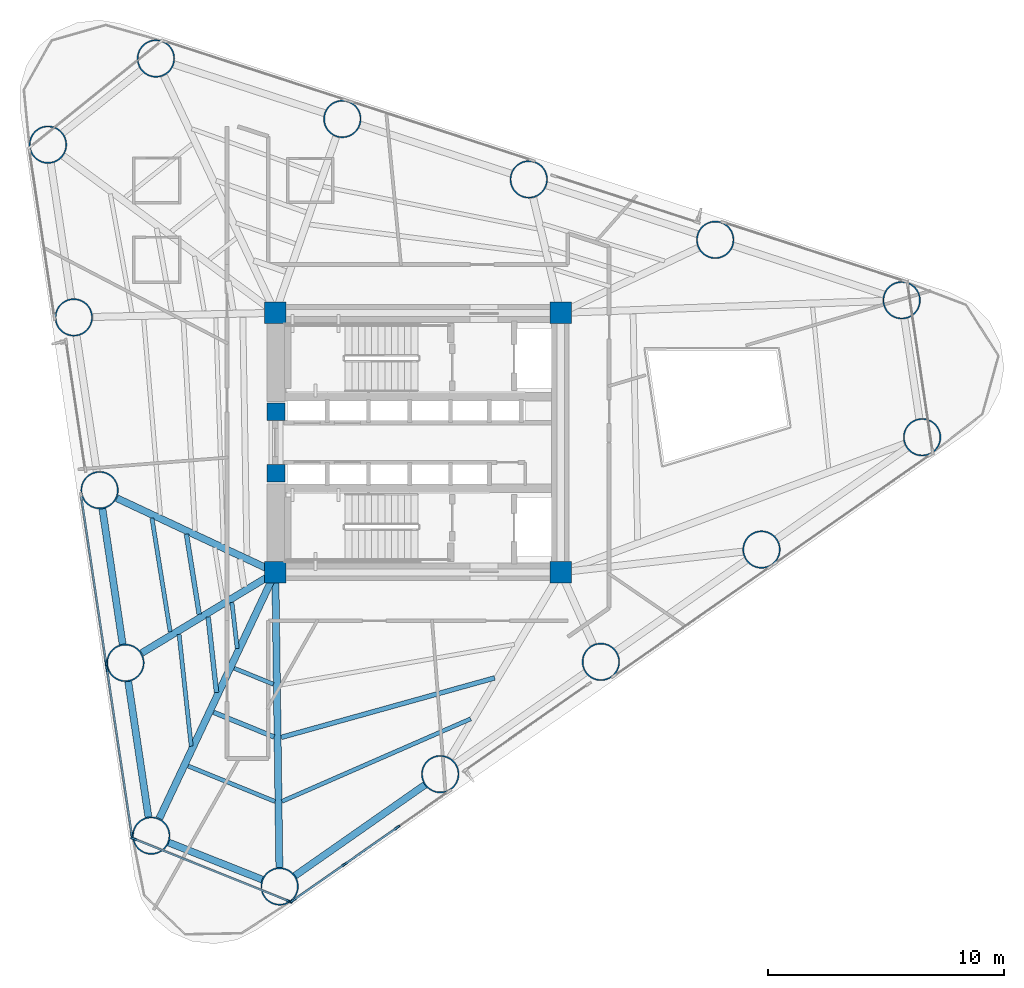
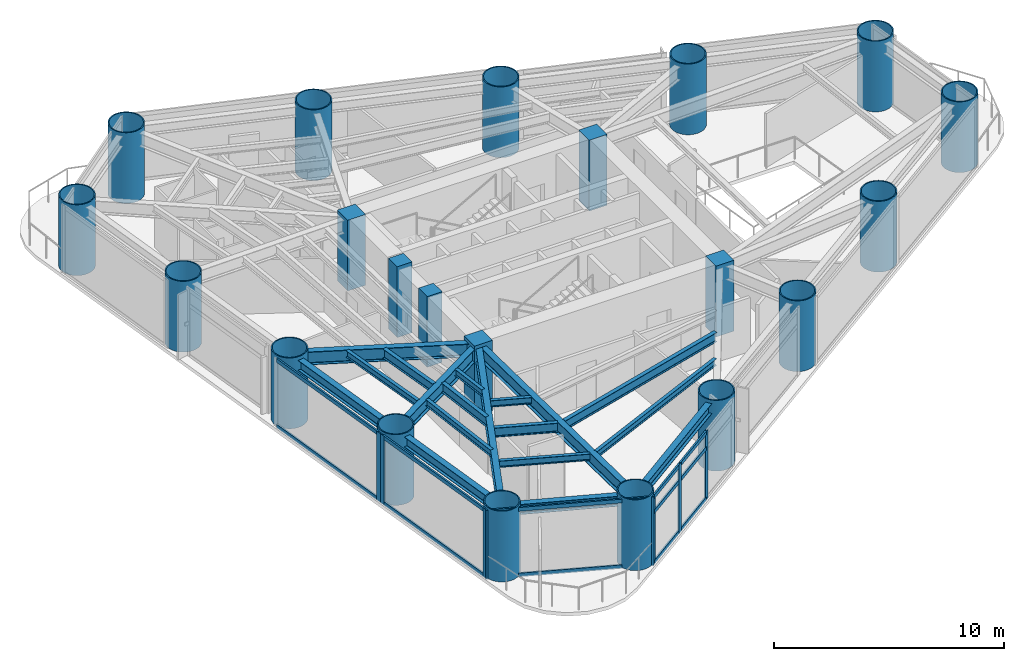
# One storey, part 1 of 9: 21 columns, 20 members, 18 beams, 4 elements without a shape of their own.
"""IFC4 building model written with IfcOpenShell, lengths in metres."""

from ifc_helpers import new_model, si_unit, direction, frame, origin, origin_2d, place, context, subcontext, project, spatial, rectangle, hollow_circle, i_section, extrude, source, transform, mapped, material, layer, layer_set, material_profile, profile_set, type_object, element, aggregate, save


model = new_model("IFC4")

# Units and contexts
model_context = context("Model", 3, precision=1e-05, world=origin(), true_north=direction((0.0, 1.0)))
body_context = subcontext(model_context, "Body", "Model", "MODEL_VIEW")
ifc_project = project(units=[si_unit("LENGTHUNIT", "METRE"), si_unit("AREAUNIT", "SQUARE_METRE"), si_unit("VOLUMEUNIT", "CUBIC_METRE"), si_unit("PLANEANGLEUNIT", "RADIAN"), si_unit("MASSUNIT", "GRAM", prefix="KILO")], contexts=[model_context])

# Site, building, storey
site_placement = place(None, origin())
site = spatial("IfcSite", under=ifc_project, at=site_placement, CompositionType="ELEMENT")
building_placement = place(site_placement, origin())
building = spatial("IfcBuilding", under=site, at=building_placement, Name="Yunling Apex Tower", CompositionType="ELEMENT")
storey_placement = place(building_placement, frame((0.0, 0.0, 69.800048828125)))
storey = spatial("IfcBuildingStorey", under=building, at=storey_placement, Name="L18", CompositionType="ELEMENT", Elevation=69.800048828125)

# Columns
ifc_material_1 = material(Name="Concrete C60", Category="concrete")
ifc_material_profile_1 = material_profile(ifc_material_1, rectangle(XDim=0.89990234375, YDim=0.89990234375, at=origin_2d()))
ifc_profile_set_1 = profile_set([ifc_material_profile_1], Name="Concrete C60")
column_type_1 = type_object("IfcColumnType", Name="PC-SRC-3", PredefinedType="COLUMN", material=ifc_profile_set_1)
shared_shape_1 = source(origin(), body_context, "Body", "SweptSolid", [
    extrude(rectangle(XDim=0.89990234375, YDim=0.89990234375, at=origin_2d()), origin(), (0.0, 0.0, 1.0), 3.75),
])
for number, where, z_axis, x_axis, name in (
    (1, (-6.050048828125, -5.5, 0.0), (0.0, 0.0, 1.0), (1.0, 0.0, 0.0), "L18 Core Spine Column CC-SW"),
    (2, (6.050048828125, -5.5, 0.0), (0.0, 0.0, 1.0), (1.0, 0.0, 0.0), "L18 Core Spine Column CC-SE"),
    (3, (6.050048828125, 5.5, 0.0), (0.0, 0.0, 1.0), (1.0, 0.0, 0.0), "L18 Core Spine Column CC-NE"),
    (4, (-6.050048828125, 5.5, 0.0), (0.0, 0.0, 1.0), (1.0, 0.0, 0.0), "L18 Core Spine Column CC-NW"),
):
    element("IfcColumn", number, at=place(storey_placement, frame(where, z_axis=z_axis, x_axis=x_axis)), inside=storey, type_object=column_type_1, Name=name, PredefinedType="COLUMN", context=body_context, shape_type="MappedRepresentation", body=[
        mapped(shared_shape_1, transform((0.0, 0.0, 0.0), scale=1.0)),
    ])
ifc_material_2 = material(Name="Concrete C50", Category="concrete")
ifc_material_profile_2 = material_profile(ifc_material_2, rectangle(XDim=0.75, YDim=0.75, at=origin_2d()))
ifc_profile_set_2 = profile_set([ifc_material_profile_2], Name="Concrete C50")
column_type_2 = type_object("IfcColumnType", Name="PC-SRC-4", PredefinedType="COLUMN", material=ifc_profile_set_2)
shared_shape_2 = source(origin(), body_context, "Body", "SweptSolid", [
    extrude(rectangle(XDim=0.75, YDim=0.75, at=origin_2d()), origin(), (0.0, 0.0, 1.0), 3.75),
])
for number, where, z_axis, x_axis, name in (
    (5, (-6.02490234375, -1.300048828125, 0.0), (0.0, 0.0, 1.0), (1.0, 0.0, 0.0), "L18 Core West Portal Jamb Column S"),
    (6, (-6.02490234375, 1.300048828125, 0.0), (0.0, 0.0, 1.0), (1.0, 0.0, 0.0), "L18 Core West Portal Jamb Column N"),
):
    element("IfcColumn", number, at=place(storey_placement, frame(where, z_axis=z_axis, x_axis=x_axis)), inside=storey, type_object=column_type_2, Name=name, PredefinedType="COLUMN", context=body_context, shape_type="MappedRepresentation", body=[
        mapped(shared_shape_2, transform((0.0, 0.0, 0.0), scale=1.0)),
    ])
ifc_material_3 = material(Name="Steel Q390GJC", Category="steel")
ifc_material_profile_3 = material_profile(ifc_material_3, hollow_circle(Radius=0.800048828125, WallThickness=0.054931640625, at=origin_2d()))
ifc_profile_set_3 = profile_set([ifc_material_profile_3], Name="Steel Q390GJC")
column_type_3 = type_object("IfcColumnType", Name="MC-CFST-1", PredefinedType="COLUMN", material=ifc_profile_set_3)
shared_shape_3 = source(origin(), body_context, "Body", "SweptSolid", [
    extrude(hollow_circle(Radius=0.800048828125, WallThickness=0.054931640625, at=origin_2d()), origin(), (0.0, 0.0, 1.0), 3.75),
])
for number, where, z_axis, x_axis, name in (
    (7, (-5.8681640625, -18.8193359375, 0.0), (0.0, 0.0, 1.0), (1.0, 0.0, 0.0), "L18 Perimeter CFST Mega-Column P01"),
    (8, (0.941650390625, -14.05810546875, 0.0), (0.0, 0.0, 1.0), (1.0, 0.0, 0.0), "L18 Perimeter CFST Mega-Column P02"),
    (9, (7.751708984375, -9.296875, 0.0), (0.0, 0.0, 1.0), (1.0, 0.0, 0.0), "L18 Perimeter CFST Mega-Column P03"),
    (10, (14.5615234375, -4.535400390625, 0.0), (0.0, 0.0, 1.0), (1.0, 0.0, 0.0), "L18 Perimeter CFST Mega-Column P04"),
    (11, (21.371337890625, 0.225830078125, 0.0), (0.0, 0.0, 1.0), (1.0, 0.0, 0.0), "L18 Perimeter CFST Mega-Column P05"),
    (12, (20.50341796875, 6.032470703125, 0.0), (0.0, 0.0, 1.0), (1.0, 0.0, 0.0), "L18 Perimeter CFST Mega-Column P06"),
    (13, (12.59912109375, 8.594482421875, 0.0), (0.0, 0.0, 1.0), (1.0, 0.0, 0.0), "L18 Perimeter CFST Mega-Column P07"),
    (14, (4.69482421875, 11.15673828125, 0.0), (0.0, 0.0, 1.0), (1.0, 0.0, 0.0), "L18 Perimeter CFST Mega-Column P08"),
    (15, (-3.209716796875, 13.718994140625, 0.0), (0.0, 0.0, 1.0), (1.0, 0.0, 0.0), "L18 Perimeter CFST Mega-Column P09"),
    (16, (-11.114013671875, 16.28125, 0.0), (0.0, 0.0, 1.0), (1.0, 0.0, 0.0), "L18 Perimeter CFST Mega-Column P10"),
    (17, (-15.689208984375, 12.62939453125, 0.0), (0.0, 0.0, 1.0), (1.0, 0.0, 0.0), "L18 Perimeter CFST Mega-Column P11"),
    (18, (-14.594482421875, 5.305908203125, 0.0), (0.0, 0.0, 1.0), (1.0, 0.0, 0.0), "L18 Perimeter CFST Mega-Column P12"),
    (19, (-13.5, -2.017578125, 0.0), (0.0, 0.0, 1.0), (1.0, 0.0, 0.0), "L18 Perimeter CFST Mega-Column P13"),
    (20, (-12.405517578125, -9.341064453125, 0.0), (0.0, 0.0, 1.0), (1.0, 0.0, 0.0), "L18 Perimeter CFST Mega-Column P14"),
    (21, (-11.31103515625, -16.66455078125, 0.0), (0.0, 0.0, 1.0), (1.0, 0.0, 0.0), "L18 Perimeter CFST Mega-Column P15"),
):
    element("IfcColumn", number, at=place(storey_placement, frame(where, z_axis=z_axis, x_axis=x_axis)), inside=storey, type_object=column_type_3, Name=name, PredefinedType="COLUMN", context=body_context, shape_type="MappedRepresentation", body=[
        mapped(shared_shape_3, transform((0.0, 0.0, 0.0), scale=1.0)),
    ])

# Beams
ifc_material_4 = material(Name="Steel Q355B", Category="steel")
ifc_material_profile_4 = material_profile(ifc_material_4, i_section(OverallWidth=0.300048828125, OverallDepth=0.5400390625, WebThickness=0.011962890625, FlangeThickness=0.02001953125, FilletRadius=0.02392578125, at=origin_2d()))
ifc_profile_set_4 = profile_set([ifc_material_profile_4], Name="Steel Q355B")
beam_type_1 = type_object("IfcBeamType", Name="BP-SPN-1", PredefinedType="SPANDREL", material=ifc_profile_set_4)
shared_shape_4 = source(origin(), body_context, "Body", "SweptSolid", [
    extrude(i_section(OverallWidth=0.300048828125, OverallDepth=0.5400390625, WebThickness=0.011962890625, FlangeThickness=0.02001953125, FilletRadius=0.02392578125, at=origin_2d()), origin(), (0.0, 0.0, 1.0), 6.721435546875),
])
beam_1_placement = place(storey_placement, frame((-5.217529296875, -18.364501953125, 3.294921875), z_axis=(0.81955772083, 0.572996633697, 0.0), x_axis=(-0.572996633697, 0.81955772083, 0.0)))
element("IfcBeam", 22, at=beam_1_placement, inside=storey, type_object=beam_type_1, Name="L18 Perimeter Spandrel Beam 1", PredefinedType="SPANDREL", context=body_context, shape_type="MappedRepresentation", body=[
    mapped(shared_shape_4, transform((0.0, 0.0, 0.0), scale=1.0)),
])
shared_shape_5 = source(origin(), body_context, "Body", "SweptSolid", [
    extrude(i_section(OverallWidth=0.300048828125, OverallDepth=0.5400390625, WebThickness=0.011962890625, FlangeThickness=0.02001953125, FilletRadius=0.02392578125, at=origin_2d()), origin(), (0.0, 0.0, 1.0), 4.265869140625),
])
beam_2_placement = place(storey_placement, frame((-10.57275390625, -16.956787109375, 3.294921875), z_axis=(0.929781313093, -0.368112360323, 0.0), x_axis=(0.368112360323, 0.929781313093, 0.0)))
element("IfcBeam", 23, at=beam_2_placement, inside=storey, type_object=beam_type_1, Name="L18 Perimeter Spandrel Beam 15", PredefinedType="SPANDREL", context=body_context, shape_type="MappedRepresentation", body=[
    mapped(shared_shape_5, transform((0.0, 0.0, 0.0), scale=1.0)),
])
shared_shape_6 = source(origin(), body_context, "Body", "SweptSolid", [
    extrude(i_section(OverallWidth=0.300048828125, OverallDepth=0.5400390625, WebThickness=0.011962890625, FlangeThickness=0.02001953125, FilletRadius=0.02392578125, at=origin_2d()), origin(), (0.0, 0.0, 1.0), 5.81689453125),
])
for number, where, z_axis, x_axis, name in (
    (24, (-13.3828125, -2.802978515625, 3.294921875), (0.147823230204, -0.989013797989, 0.0), (0.989013797989, 0.147823230204, 0.0), "L18 Perimeter Spandrel Beam 13"),
    (25, (-12.2880859375, -10.12646484375, 3.294921875), (0.14778217558, -0.989019933359, 0.0), (0.989019933359, 0.14778217558, 0.0), "L18 Perimeter Spandrel Beam 14"),
):
    element("IfcBeam", number, at=place(storey_placement, frame(where, z_axis=z_axis, x_axis=x_axis)), inside=storey, type_object=beam_type_1, Name=name, PredefinedType="SPANDREL", context=body_context, shape_type="MappedRepresentation", body=[
        mapped(shared_shape_6, transform((0.0, 0.0, 0.0), scale=1.0)),
    ])
ifc_material_profile_5 = material_profile(ifc_material_4, i_section(OverallWidth=0.300048828125, OverallDepth=0.699951171875, WebThickness=0.012939453125, FlangeThickness=0.02392578125, FilletRadius=0.02587890625, at=origin_2d()))
ifc_profile_set_5 = profile_set([ifc_material_profile_5], Name="Steel Q355B")
beam_type_2 = type_object("IfcBeamType", Name="BG-PRI-3", PredefinedType="USERDEFINED", material=ifc_profile_set_5)
shared_shape_7 = source(origin(), body_context, "Body", "SweptSolid", [
    extrude(i_section(OverallWidth=0.300048828125, OverallDepth=0.699951171875, WebThickness=0.012939453125, FlangeThickness=0.02392578125, FilletRadius=0.02587890625, at=origin_2d()), origin(), (0.0, 0.0, 1.0), 12.4326171875),
])
beam_3_placement = place(storey_placement, frame((-5.879150390625, -18.011474609375, 3.21484375), z_axis=(-0.013647857779, 0.999906863652, 0.0), x_axis=(-0.999906863652, -0.013647857779, 0.0)))
element("IfcBeam", 26, at=beam_3_placement, inside=storey, type_object=beam_type_2, Name="L18 Radial Primary Girder R01", ObjectType="GIRDER", PredefinedType="USERDEFINED", context=body_context, shape_type="MappedRepresentation", body=[
    mapped(shared_shape_7, transform((0.0, 0.0, 0.0), scale=1.0)),
])
shared_shape_8 = source(origin(), body_context, "Body", "SweptSolid", [
    extrude(i_section(OverallWidth=0.300048828125, OverallDepth=0.699951171875, WebThickness=0.012939453125, FlangeThickness=0.02392578125, FilletRadius=0.02587890625, at=origin_2d()), origin(), (0.0, 0.0, 1.0), 7.335693359375),
])
beam_4_placement = place(storey_placement, frame((-12.76806640625, -2.35986328125, 3.21484375), z_axis=(0.905923640783, -0.423441090437, 0.0), x_axis=(0.423441090437, 0.905923640783, 0.0)))
element("IfcBeam", 27, at=beam_4_placement, inside=storey, type_object=beam_type_2, Name="L18 Radial Primary Girder R13", ObjectType="GIRDER", PredefinedType="USERDEFINED", context=body_context, shape_type="MappedRepresentation", body=[
    mapped(shared_shape_8, transform((0.0, 0.0, 0.0), scale=1.0)),
])
shared_shape_9 = source(origin(), body_context, "Body", "SweptSolid", [
    extrude(i_section(OverallWidth=0.300048828125, OverallDepth=0.699951171875, WebThickness=0.012939453125, FlangeThickness=0.02392578125, FilletRadius=0.02587890625, at=origin_2d()), origin(), (0.0, 0.0, 1.0), 6.5380859375),
])
beam_5_placement = place(storey_placement, frame((-11.714111328125, -8.923095703125, 3.21484375), z_axis=(0.855857690559, 0.517211381847, 0.0), x_axis=(-0.517211381847, 0.855857690559, 0.0)))
element("IfcBeam", 28, at=beam_5_placement, inside=storey, type_object=beam_type_2, Name="L18 Radial Primary Girder R14", ObjectType="GIRDER", PredefinedType="USERDEFINED", context=body_context, shape_type="MappedRepresentation", body=[
    mapped(shared_shape_9, transform((0.0, 0.0, 0.0), scale=1.0)),
])
shared_shape_10 = source(origin(), body_context, "Body", "SweptSolid", [
    extrude(i_section(OverallWidth=0.300048828125, OverallDepth=0.699951171875, WebThickness=0.012939453125, FlangeThickness=0.02392578125, FilletRadius=0.02587890625, at=origin_2d()), origin(), (0.0, 0.0, 1.0), 11.4541015625),
])
beam_6_placement = place(storey_placement, frame((-10.966796875, -15.93359375, 3.21484375), z_axis=(0.426297901301, 0.904582831667, 0.0), x_axis=(-0.904582831667, 0.426297901301, 0.0)))
element("IfcBeam", 29, at=beam_6_placement, inside=storey, type_object=beam_type_2, Name="L18 Radial Primary Girder R15", ObjectType="GIRDER", PredefinedType="USERDEFINED", context=body_context, shape_type="MappedRepresentation", body=[
    mapped(shared_shape_10, transform((0.0, 0.0, 0.0), scale=1.0)),
])
ifc_material_profile_6 = material_profile(ifc_material_4, i_section(OverallWidth=0.199951171875, OverallDepth=0.5, WebThickness=0.010009765625, FlangeThickness=0.01611328125, FilletRadius=0.02001953125, at=origin_2d()))
ifc_profile_set_6 = profile_set([ifc_material_profile_6], Name="Steel Q355B")
beam_type_3 = type_object("IfcBeamType", Name="BS-SEC-2", PredefinedType="BEAM", material=ifc_profile_set_6)
shared_shape_11 = source(origin(), body_context, "Body", "SweptSolid", [
    extrude(i_section(OverallWidth=0.199951171875, OverallDepth=0.5, WebThickness=0.010009765625, FlangeThickness=0.01611328125, FilletRadius=0.02001953125, at=origin_2d()), origin(), (0.0, 0.0, 1.0), 9.3935546875),
])
beam_7_placement = place(storey_placement, frame((-5.7998046875, -12.498779296875, 3.31494140625), z_axis=(0.963300137935, 0.268426608693, 0.0), x_axis=(-0.268426608693, 0.963300137935, 0.0)))
element("IfcBeam", 30, at=beam_7_placement, inside=storey, type_object=beam_type_3, Name="L18 Composite Floor Beam BS-1", PredefinedType="BEAM", context=body_context, shape_type="MappedRepresentation", body=[
    mapped(shared_shape_11, transform((0.0, 0.0, 0.0), scale=1.0)),
])
ifc_material_profile_7 = material_profile(ifc_material_4, i_section(OverallWidth=0.175048828125, OverallDepth=0.35009765625, WebThickness=0.007080078125, FlangeThickness=0.010986328125, FilletRadius=0.013916015625, at=origin_2d()))
ifc_profile_set_7 = profile_set([ifc_material_profile_7], Name="Steel Q355B")
beam_type_4 = type_object("IfcBeamType", Name="BJ-JST-1", PredefinedType="JOIST", material=ifc_profile_set_7)
shared_shape_12 = source(origin(), body_context, "Body", "SweptSolid", [
    extrude(i_section(OverallWidth=0.175048828125, OverallDepth=0.35009765625, WebThickness=0.007080078125, FlangeThickness=0.010986328125, FilletRadius=0.013916015625, at=origin_2d()), origin(), (0.0, 0.0, 1.0), 8.734375),
])
beam_8_placement = place(storey_placement, frame((-5.77001953125, -15.21240234375, 3.389892578125), z_axis=(0.916252252871, 0.400601808668, 0.0), x_axis=(-0.400601808668, 0.916252252871, 0.0)))
element("IfcBeam", 31, at=beam_8_placement, inside=storey, type_object=beam_type_4, Name="L18 Composite Floor Joist BJ1-1", PredefinedType="JOIST", context=body_context, shape_type="MappedRepresentation", body=[
    mapped(shared_shape_12, transform((0.0, 0.0, 0.0), scale=1.0)),
])
shared_shape_13 = source(origin(), body_context, "Body", "SweptSolid", [
    extrude(i_section(OverallWidth=0.199951171875, OverallDepth=0.5, WebThickness=0.010009765625, FlangeThickness=0.01611328125, FilletRadius=0.02001953125, at=origin_2d()), origin(), (0.0, 0.0, 1.0), 3.435546875),
])
beam_9_placement = place(storey_placement, frame((-9.81884765625, -3.884521484375, 3.31494140625), z_axis=(0.157619096627, -0.987499985002, 0.0), x_axis=(0.987499985002, 0.157619096627, 0.0)))
element("IfcBeam", 32, at=beam_9_placement, inside=storey, type_object=beam_type_3, Name="L18 Composite Floor Beam BS-13", PredefinedType="BEAM", context=body_context, shape_type="MappedRepresentation", body=[
    mapped(shared_shape_13, transform((0.0, 0.0, 0.0), scale=1.0)),
])
shared_shape_14 = source(origin(), body_context, "Body", "SweptSolid", [
    extrude(i_section(OverallWidth=0.175048828125, OverallDepth=0.35009765625, WebThickness=0.007080078125, FlangeThickness=0.010986328125, FilletRadius=0.013916015625, at=origin_2d()), origin(), (0.0, 0.0, 1.0), 4.881591796875),
])
beam_10_placement = place(storey_placement, frame((-11.28076171875, -3.201171875, 3.389892578125), z_axis=(0.158240169421, -0.987400652614, 0.0), x_axis=(0.987400652614, 0.158240169421, 0.0)))
element("IfcBeam", 33, at=beam_10_placement, inside=storey, type_object=beam_type_4, Name="L18 Composite Floor Joist BJ1-13", PredefinedType="JOIST", context=body_context, shape_type="MappedRepresentation", body=[
    mapped(shared_shape_14, transform((0.0, 0.0, 0.0), scale=1.0)),
])
shared_shape_15 = source(origin(), body_context, "Body", "SweptSolid", [
    extrude(i_section(OverallWidth=0.199951171875, OverallDepth=0.5, WebThickness=0.010009765625, FlangeThickness=0.01611328125, FilletRadius=0.02001953125, at=origin_2d()), origin(), (0.0, 0.0, 1.0), 3.222412109375),
])
beam_11_placement = place(storey_placement, frame((-8.898681640625, -7.391357421875, 3.31494140625), z_axis=(0.110315104592, -0.993896663491, 0.0), x_axis=(0.993896663491, 0.110315104592, 0.0)))
element("IfcBeam", 34, at=beam_11_placement, inside=storey, type_object=beam_type_3, Name="L18 Composite Floor Beam BS-14", PredefinedType="BEAM", context=body_context, shape_type="MappedRepresentation", body=[
    mapped(shared_shape_15, transform((0.0, 0.0, 0.0), scale=1.0)),
])
shared_shape_16 = source(origin(), body_context, "Body", "SweptSolid", [
    extrude(i_section(OverallWidth=0.175048828125, OverallDepth=0.35009765625, WebThickness=0.007080078125, FlangeThickness=0.010986328125, FilletRadius=0.013916015625, at=origin_2d()), origin(), (0.0, 0.0, 1.0), 4.765869140625),
])
beam_12_placement = place(storey_placement, frame((-10.130126953125, -8.135498046875, 3.389892578125), z_axis=(0.107732282993, -0.994179941058, 0.0), x_axis=(0.994179941058, 0.107732282993, 0.0)))
element("IfcBeam", 35, at=beam_12_placement, inside=storey, type_object=beam_type_4, Name="L18 Composite Floor Joist BJ1-14", PredefinedType="JOIST", context=body_context, shape_type="MappedRepresentation", body=[
    mapped(shared_shape_16, transform((0.0, 0.0, 0.0), scale=1.0)),
])
shared_shape_17 = source(origin(), body_context, "Body", "SweptSolid", [
    extrude(i_section(OverallWidth=0.175048828125, OverallDepth=0.35009765625, WebThickness=0.007080078125, FlangeThickness=0.010986328125, FilletRadius=0.013916015625, at=origin_2d()), origin(), (0.0, 0.0, 1.0), 1.95947265625),
])
beam_13_placement = place(storey_placement, frame((-7.890625, -6.782470703125, 3.389892578125), z_axis=(0.11512063256, -0.993351518829, 0.0), x_axis=(0.993351518829, 0.11512063256, 0.0)))
element("IfcBeam", 36, at=beam_13_placement, inside=storey, type_object=beam_type_4, Name="L18 Composite Floor Joist BJ3-14", PredefinedType="JOIST", context=body_context, shape_type="MappedRepresentation", body=[
    mapped(shared_shape_17, transform((0.0, 0.0, 0.0), scale=1.0)),
])
shared_shape_18 = source(origin(), body_context, "Body", "SweptSolid", [
    extrude(i_section(OverallWidth=0.199951171875, OverallDepth=0.5, WebThickness=0.010009765625, FlangeThickness=0.01611328125, FilletRadius=0.02001953125, at=origin_2d()), origin(), (0.0, 0.0, 1.0), 2.77294921875),
])
beam_14_placement = place(storey_placement, frame((-8.670166015625, -11.43505859375, 3.31494140625), z_axis=(0.926108309986, -0.377257734413, 0.0), x_axis=(0.377257734413, 0.926108309986, 0.0)))
element("IfcBeam", 37, at=beam_14_placement, inside=storey, type_object=beam_type_3, Name="L18 Composite Floor Beam BS-15", PredefinedType="BEAM", context=body_context, shape_type="MappedRepresentation", body=[
    mapped(shared_shape_18, transform((0.0, 0.0, 0.0), scale=1.0)),
])
shared_shape_19 = source(origin(), body_context, "Body", "SweptSolid", [
    extrude(i_section(OverallWidth=0.175048828125, OverallDepth=0.35009765625, WebThickness=0.007080078125, FlangeThickness=0.010986328125, FilletRadius=0.013916015625, at=origin_2d()), origin(), (0.0, 0.0, 1.0), 3.97412109375),
])
beam_15_placement = place(storey_placement, frame((-9.744384765625, -13.714599609375, 3.389892578125), z_axis=(0.925887115862, -0.377800276178, 0.0), x_axis=(0.377800276178, 0.925887115862, 0.0)))
element("IfcBeam", 38, at=beam_15_placement, inside=storey, type_object=beam_type_4, Name="L18 Composite Floor Joist BJ1-15", PredefinedType="JOIST", context=body_context, shape_type="MappedRepresentation", body=[
    mapped(shared_shape_19, transform((0.0, 0.0, 0.0), scale=1.0)),
])
shared_shape_20 = source(origin(), body_context, "Body", "SweptSolid", [
    extrude(i_section(OverallWidth=0.175048828125, OverallDepth=0.35009765625, WebThickness=0.007080078125, FlangeThickness=0.010986328125, FilletRadius=0.013916015625, at=origin_2d()), origin(), (0.0, 0.0, 1.0), 1.790283203125),
])
beam_16_placement = place(storey_placement, frame((-7.791259765625, -9.56982421875, 3.389892578125), z_axis=(0.926469549023, -0.376369731425, 0.0), x_axis=(0.376369731425, 0.926469549023, 0.0)))
element("IfcBeam", 39, at=beam_16_placement, inside=storey, type_object=beam_type_4, Name="L18 Composite Floor Joist BJ3-15", PredefinedType="JOIST", context=body_context, shape_type="MappedRepresentation", body=[
    mapped(shared_shape_20, transform((0.0, 0.0, 0.0), scale=1.0)),
])

# Curtain wall, members
ifc_material_5 = material(Name="Bronze anodised aluminium", Category="aluminium")
ifc_layer = layer(ifc_material_5, 0.260009765625)
ifc_layer_set = layer_set([ifc_layer], Name="Bronze anodised aluminium")
curtain_wall_type = type_object("IfcCurtainWallType", Name="CW-SYS-2", PredefinedType="NOTDEFINED", material=ifc_layer_set)
curtain_wall_1_placement = place(storey_placement, origin())
curtain_wall_1 = element("IfcCurtainWall", 40, at=curtain_wall_1_placement, inside=storey, type_object=curtain_wall_type, Name="CW-L18-F1-B1", PredefinedType="NOTDEFINED")
ifc_material_profile_8 = material_profile(ifc_material_5, rectangle(XDim=0.0849609375, YDim=0.260009765625, at=origin_2d()))
ifc_profile_set_8 = profile_set([ifc_material_profile_8], Name="Bronze anodised aluminium")
member_type_1 = type_object("IfcMemberType", Name="CW-MUL-2", PredefinedType="MULLION", material=ifc_profile_set_8)
shared_shape_21 = source(origin(), body_context, "Body", "SweptSolid", [
    extrude(rectangle(XDim=0.0849609375, YDim=0.260009765625, at=origin_2d()), origin(), (0.0, 0.0, 1.0), 3.6650390625),
])
member_1_placement = place(storey_placement, frame((-5.3037109375, -19.412841796875, -0.050048828125), z_axis=(0.0, 0.0, 1.0), x_axis=(-0.573004358875, 0.819552319691, 0.0)))
member_1 = element("IfcMember", 41, at=member_1_placement, type_object=member_type_1, Name="CW-SYS-2 mullion 1", PredefinedType="MULLION", context=body_context, shape_type="MappedRepresentation", body=[
    mapped(shared_shape_21, transform((0.0, 0.0, 0.0), scale=1.0)),
])
member_2_placement = place(storey_placement, frame((-3.1123046875, -17.880859375, -0.050048828125), z_axis=(0.0, 0.0, 1.0), x_axis=(-0.573004358875, 0.819552319691, 0.0)))
member_2 = element("IfcMember", 42, at=member_2_placement, type_object=member_type_1, Name="CW-SYS-2 mullion 2", PredefinedType="MULLION", context=body_context, shape_type="MappedRepresentation", body=[
    mapped(shared_shape_21, transform((0.0, 0.0, 0.0), scale=1.0)),
])
member_3_placement = place(storey_placement, frame((-0.885986328125, -16.32421875, -0.050048828125), z_axis=(0.0, 0.0, 1.0), x_axis=(-0.573004358875, 0.819552319691, 0.0)))
member_3 = element("IfcMember", 43, at=member_3_placement, type_object=member_type_1, Name="CW-SYS-2 mullion 3", PredefinedType="MULLION", context=body_context, shape_type="MappedRepresentation", body=[
    mapped(shared_shape_21, transform((0.0, 0.0, 0.0), scale=1.0)),
])

# Curtain wall, member
curtain_wall_2_placement = place(storey_placement, origin())
curtain_wall_2 = element("IfcCurtainWall", 44, at=curtain_wall_2_placement, inside=storey, type_object=curtain_wall_type, Name="CW-L18-F3-B3", PredefinedType="NOTDEFINED")
member_4_placement = place(storey_placement, frame((-13.224853515625, -9.339599609375, -0.050048828125), z_axis=(0.0, 0.0, 1.0), x_axis=(0.98901508166, 0.147814641525, 0.0)))
member_4 = element("IfcMember", 45, at=member_4_placement, type_object=member_type_1, Name="CW-SYS-2 mullion 2", PredefinedType="MULLION", context=body_context, shape_type="MappedRepresentation", body=[
    mapped(shared_shape_21, transform((0.0, 0.0, 0.0), scale=1.0)),
])

# Curtain wall, members
curtain_wall_3_placement = place(storey_placement, origin())
curtain_wall_3 = element("IfcCurtainWall", 46, at=curtain_wall_3_placement, inside=storey, type_object=curtain_wall_type, Name="CW-L18-F3-B4", PredefinedType="NOTDEFINED")
member_5_placement = place(storey_placement, frame((-13.1884765625, -9.58203125, -0.050048828125), z_axis=(0.0, 0.0, 1.0), x_axis=(0.989017099422, 0.14780114022, 0.0)))
member_5 = element("IfcMember", 47, at=member_5_placement, type_object=member_type_1, Name="CW-SYS-2 mullion 1", PredefinedType="MULLION", context=body_context, shape_type="MappedRepresentation", body=[
    mapped(shared_shape_21, transform((0.0, 0.0, 0.0), scale=1.0)),
])
member_6_placement = place(storey_placement, frame((-12.13037109375, -16.6630859375, -0.050048828125), z_axis=(0.0, 0.0, 1.0), x_axis=(0.989017099422, 0.14780114022, 0.0)))
member_6 = element("IfcMember", 48, at=member_6_placement, type_object=member_type_1, Name="CW-SYS-2 mullion 2", PredefinedType="MULLION", context=body_context, shape_type="MappedRepresentation", body=[
    mapped(shared_shape_21, transform((0.0, 0.0, 0.0), scale=1.0)),
])

curtain_wall_4_placement = place(storey_placement, origin())
curtain_wall_4 = element("IfcCurtainWall", 49, at=curtain_wall_4_placement, inside=storey, type_object=curtain_wall_type, Name="CW-L18-CRN3", PredefinedType="NOTDEFINED")
member_7_placement = place(storey_placement, frame((-12.052978515625, -16.79736328125, -0.050048828125), z_axis=(0.0, 0.0, 1.0), x_axis=(0.373143693329, 0.927773562961, 0.0)))
member_7 = element("IfcMember", 50, at=member_7_placement, type_object=member_type_1, Name="CW-SYS-2 mullion 1", PredefinedType="MULLION", context=body_context, shape_type="MappedRepresentation", body=[
    mapped(shared_shape_21, transform((0.0, 0.0, 0.0), scale=1.0)),
])
member_8_placement = place(storey_placement, frame((-5.454833984375, -19.450927734375, -0.050048828125), z_axis=(0.0, 0.0, 1.0), x_axis=(0.373143693329, 0.927773562961, 0.0)))
member_8 = element("IfcMember", 51, at=member_8_placement, type_object=member_type_1, Name="CW-SYS-2 mullion 2", PredefinedType="MULLION", context=body_context, shape_type="MappedRepresentation", body=[
    mapped(shared_shape_21, transform((0.0, 0.0, 0.0), scale=1.0)),
])

# Member
ifc_material_profile_9 = material_profile(ifc_material_5, rectangle(XDim=0.0849609375, YDim=0.199951171875, at=origin_2d()))
ifc_profile_set_9 = profile_set([ifc_material_profile_9], Name="Bronze anodised aluminium")
member_type_2 = type_object("IfcMemberType", Name="CW-TRN-2", PredefinedType="USERDEFINED", material=ifc_profile_set_9)
shared_shape_22 = source(origin(), body_context, "Body", "SweptSolid", [
    extrude(rectangle(XDim=0.0849609375, YDim=0.199951171875, at=origin_2d()), origin(), (0.0, 0.0, 1.0), 2.597412109375),
])
member_9_placement = place(storey_placement, frame((-5.272216796875, -19.39111328125, 0.04248046875), z_axis=(0.819510013096, 0.573064864073, 0.0), x_axis=(-0.573064864073, 0.819510013096, 0.0)))
member_9 = element("IfcMember", 52, at=member_9_placement, type_object=member_type_2, Name="CW-SYS-2 transom 1.1", ObjectType="TRANSOM", PredefinedType="USERDEFINED", context=body_context, shape_type="MappedRepresentation", body=[
    mapped(shared_shape_22, transform((0.0, 0.0, 0.0), scale=1.0)),
])

member_10_placement = place(storey_placement, frame((-5.272216796875, -19.39111328125, 2.71484375), z_axis=(0.819510013096, 0.573064864073, 0.0), x_axis=(-0.573064864073, 0.819510013096, 0.0)))
member_10 = element("IfcMember", 53, at=member_10_placement, type_object=member_type_2, Name="CW-SYS-2 transom 1.2", ObjectType="TRANSOM", PredefinedType="USERDEFINED", context=body_context, shape_type="MappedRepresentation", body=[
    mapped(shared_shape_22, transform((0.0, 0.0, 0.0), scale=1.0)),
])

member_11_placement = place(storey_placement, frame((-5.272216796875, -19.39111328125, 3.5224609375), z_axis=(0.819510013096, 0.573064864073, 0.0), x_axis=(-0.573064864073, 0.819510013096, 0.0)))
member_11 = element("IfcMember", 54, at=member_11_placement, type_object=member_type_2, Name="CW-SYS-2 transom 1.3", ObjectType="TRANSOM", PredefinedType="USERDEFINED", context=body_context, shape_type="MappedRepresentation", body=[
    mapped(shared_shape_22, transform((0.0, 0.0, 0.0), scale=1.0)),
])

shared_shape_23 = source(origin(), body_context, "Body", "SweptSolid", [
    extrude(rectangle(XDim=0.0849609375, YDim=0.199951171875, at=origin_2d()), origin(), (0.0, 0.0, 1.0), 2.639892578125),
])
member_12_placement = place(storey_placement, frame((-3.080810546875, -17.85888671875, 0.04248046875), z_axis=(0.81955329767, 0.573002960095, 0.0), x_axis=(-0.573002960095, 0.81955329767, 0.0)))
member_12 = element("IfcMember", 55, at=member_12_placement, type_object=member_type_2, Name="CW-SYS-2 transom 2.1", ObjectType="TRANSOM", PredefinedType="USERDEFINED", context=body_context, shape_type="MappedRepresentation", body=[
    mapped(shared_shape_23, transform((0.0, 0.0, 0.0), scale=1.0)),
])

member_13_placement = place(storey_placement, frame((-3.080810546875, -17.85888671875, 2.71484375), z_axis=(0.81955329767, 0.573002960095, 0.0), x_axis=(-0.573002960095, 0.81955329767, 0.0)))
member_13 = element("IfcMember", 56, at=member_13_placement, type_object=member_type_2, Name="CW-SYS-2 transom 2.2", ObjectType="TRANSOM", PredefinedType="USERDEFINED", context=body_context, shape_type="MappedRepresentation", body=[
    mapped(shared_shape_23, transform((0.0, 0.0, 0.0), scale=1.0)),
])

member_14_placement = place(storey_placement, frame((-3.080810546875, -17.85888671875, 3.5224609375), z_axis=(0.81955329767, 0.573002960095, 0.0), x_axis=(-0.573002960095, 0.81955329767, 0.0)))
member_14 = element("IfcMember", 57, at=member_14_placement, type_object=member_type_2, Name="CW-SYS-2 transom 2.3", ObjectType="TRANSOM", PredefinedType="USERDEFINED", context=body_context, shape_type="MappedRepresentation", body=[
    mapped(shared_shape_23, transform((0.0, 0.0, 0.0), scale=1.0)),
])

aggregate(curtain_wall_1, [member_1, member_2, member_3, member_9, member_10, member_11, member_12, member_13, member_14])

shared_shape_24 = source(origin(), body_context, "Body", "SweptSolid", [
    extrude(rectangle(XDim=0.0849609375, YDim=0.199951171875, at=origin_2d()), origin(), (0.0, 0.0, 1.0), 7.03515625),
])
member_15_placement = place(storey_placement, frame((-12.017578125, -16.8115234375, 0.04248046875), z_axis=(0.927768998615, -0.373155041784, 0.0), x_axis=(0.373155041784, 0.927768998615, 0.0)))
member_15 = element("IfcMember", 58, at=member_15_placement, type_object=member_type_2, Name="CW-SYS-2 transom 1.1", ObjectType="TRANSOM", PredefinedType="USERDEFINED", context=body_context, shape_type="MappedRepresentation", body=[
    mapped(shared_shape_24, transform((0.0, 0.0, 0.0), scale=1.0)),
])

member_16_placement = place(storey_placement, frame((-12.017578125, -16.8115234375, 3.5224609375), z_axis=(0.927768998615, -0.373155041784, 0.0), x_axis=(0.373155041784, 0.927768998615, 0.0)))
member_16 = element("IfcMember", 59, at=member_16_placement, type_object=member_type_2, Name="CW-SYS-2 transom 1.2", ObjectType="TRANSOM", PredefinedType="USERDEFINED", context=body_context, shape_type="MappedRepresentation", body=[
    mapped(shared_shape_24, transform((0.0, 0.0, 0.0), scale=1.0)),
])

aggregate(curtain_wall_4, [member_7, member_8, member_15, member_16])

shared_shape_25 = source(origin(), body_context, "Body", "SweptSolid", [
    extrude(rectangle(XDim=0.0849609375, YDim=0.199951171875, at=origin_2d()), origin(), (0.0, 0.0, 1.0), 7.08349609375),
])
member_17_placement = place(storey_placement, frame((-14.27734375, -2.296142578125, 0.04248046875), z_axis=(0.147792672874, -0.989018364766, 0.0), x_axis=(0.989018364766, 0.147792672874, 0.0)))
member_17 = element("IfcMember", 60, at=member_17_placement, type_object=member_type_2, Name="CW-SYS-2 transom 1.1", ObjectType="TRANSOM", PredefinedType="USERDEFINED", context=body_context, shape_type="MappedRepresentation", body=[
    mapped(shared_shape_25, transform((0.0, 0.0, 0.0), scale=1.0)),
])

member_18_placement = place(storey_placement, frame((-14.27734375, -2.296142578125, 3.5224609375), z_axis=(0.147792672874, -0.989018364766, 0.0), x_axis=(0.989018364766, 0.147792672874, 0.0)))
member_18 = element("IfcMember", 61, at=member_18_placement, type_object=member_type_2, Name="CW-SYS-2 transom 1.2", ObjectType="TRANSOM", PredefinedType="USERDEFINED", context=body_context, shape_type="MappedRepresentation", body=[
    mapped(shared_shape_25, transform((0.0, 0.0, 0.0), scale=1.0)),
])

aggregate(curtain_wall_2, [member_4, member_17, member_18])

shared_shape_26 = source(origin(), body_context, "Body", "SweptSolid", [
    extrude(rectangle(XDim=0.0849609375, YDim=0.199951171875, at=origin_2d()), origin(), (0.0, 0.0, 1.0), 7.083251953125),
])
member_19_placement = place(storey_placement, frame((-13.182861328125, -9.619873046875, 0.04248046875), z_axis=(0.147797711012, -0.989017611886, 0.0), x_axis=(0.989017611886, 0.147797711012, 0.0)))
member_19 = element("IfcMember", 62, at=member_19_placement, type_object=member_type_2, Name="CW-SYS-2 transom 1.1", ObjectType="TRANSOM", PredefinedType="USERDEFINED", context=body_context, shape_type="MappedRepresentation", body=[
    mapped(shared_shape_26, transform((0.0, 0.0, 0.0), scale=1.0)),
])

member_20_placement = place(storey_placement, frame((-13.182861328125, -9.619873046875, 3.5224609375), z_axis=(0.147797711012, -0.989017611886, 0.0), x_axis=(0.989017611886, 0.147797711012, 0.0)))
member_20 = element("IfcMember", 63, at=member_20_placement, type_object=member_type_2, Name="CW-SYS-2 transom 1.2", ObjectType="TRANSOM", PredefinedType="USERDEFINED", context=body_context, shape_type="MappedRepresentation", body=[
    mapped(shared_shape_26, transform((0.0, 0.0, 0.0), scale=1.0)),
])

aggregate(curtain_wall_3, [member_5, member_6, member_19, member_20])

save(model, "model.ifc")
